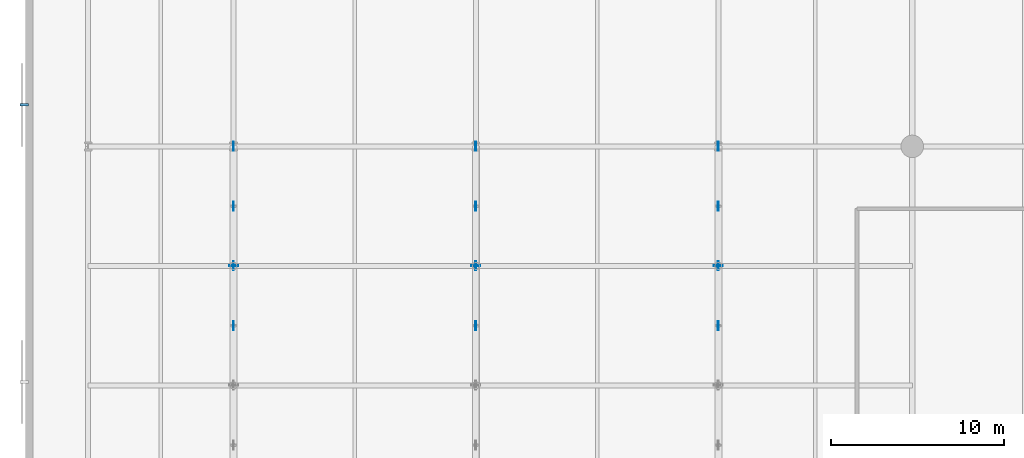
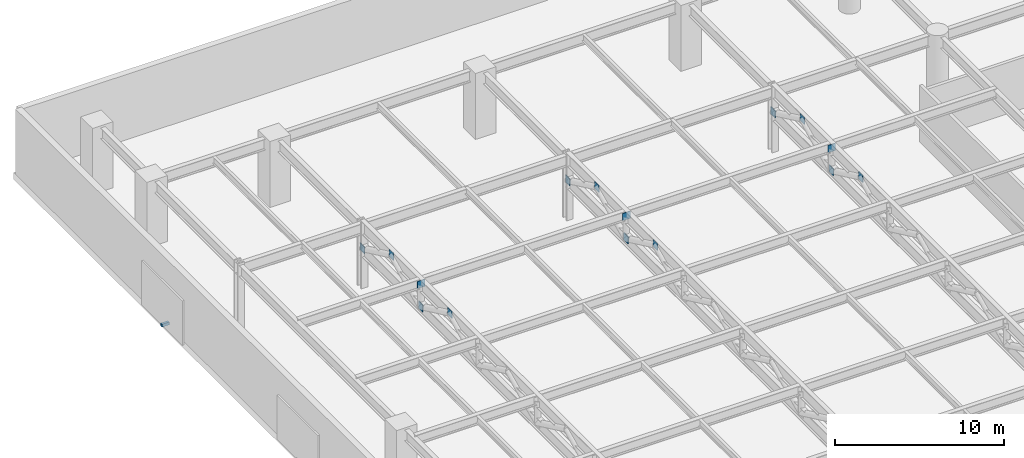
# One storey, part 35 of 40: 16 discrete accessories.
"""IFC4 building model written with IfcOpenShell, lengths in metres."""

from ifc_helpers import new_model, si_unit, direction, frame, origin, origin_2d, place, context, subcontext, project, spatial, rectangle, extrude, material, type_object, element, save


model = new_model("IFC4")

# Units and contexts
model_context = context("Model", 3, precision=1e-05, world=origin(), true_north=direction((0.0, 1.0)))
body_context = subcontext(model_context, "Body", "Model", "MODEL_VIEW")
ifc_project = project(units=[si_unit("LENGTHUNIT", "METRE"), si_unit("AREAUNIT", "SQUARE_METRE"), si_unit("VOLUMEUNIT", "CUBIC_METRE"), si_unit("PLANEANGLEUNIT", "RADIAN"), si_unit("MASSUNIT", "GRAM", prefix="KILO")], contexts=[model_context])

# Site, building, storey
site_placement = place(None, origin())
site = spatial("IfcSite", under=ifc_project, at=site_placement, CompositionType="ELEMENT")
building_placement = place(site_placement, origin())
building = spatial("IfcBuilding", under=site, at=building_placement, Name="Narakoshi Arena Tower", CompositionType="ELEMENT")
storey_placement = place(building_placement, frame((0.0, 0.0, 21.60009765625)))
storey = spatial("IfcBuildingStorey", under=building, at=storey_placement, Name="L05", CompositionType="ELEMENT", Elevation=21.60009765625)

# Discrete accessories
ifc_material_1 = material(Name="Structural steel S355J2", Category="steel")
discrete_accessory_type_1 = type_object("IfcDiscreteAccessoryType", Name="ACC-BRK-SCR", PredefinedType="BRACKET", material=ifc_material_1)
discrete_accessory_placement = place(storey_placement, frame((-0.080078125, 78.0, -0.080078125), z_axis=(0.0, 0.0, 1.0), x_axis=(0.0, 1.0, 0.0)))
element("IfcDiscreteAccessory", 1, at=discrete_accessory_placement, inside=storey, type_object=discrete_accessory_type_1, Name="L05 Solar Screen Support Bracket SHD-L05-LVR-W4", PredefinedType="BRACKET", context=body_context, shape_type="SweptSolid", body=[
    extrude(rectangle(XDim=0.159912109375, YDim=0.5, at=origin_2d()), origin(), (0.0, 0.0, 1.0), 0.199951171875),
])
ifc_material_2 = material(Name="Structural steel S460ML", Category="steel")
discrete_accessory_type_2 = type_object("IfcDiscreteAccessoryType", Name="ACC-GUS-PLT", PredefinedType="BRACKET", material=ifc_material_2)
for number, where, z_axis, x_axis, name in (
    (2, (12.0, 65.25, 4.06494140625), (0.0, 0.0, 1.0), (0.0, 1.0, 0.0), "L05 Brace Node Gusset Plate 0068"),
    (3, (12.0, 68.699951171875, 2.43994140625), (0.0, 0.0, 1.0), (0.0, 1.0, 0.0), "L05 Brace Node Gusset Plate 0069"),
    (4, (12.0, 68.699951171875, 4.06494140625), (0.0, 0.0, 1.0), (1.0, 0.0, 0.0), "L05 Brace Node Gusset Plate 0070"),
    (5, (12.0, 72.14990234375, 4.06494140625), (0.0, 0.0, 1.0), (0.0, 1.0, 0.0), "L05 Brace Node Gusset Plate 0071"),
    (6, (12.0, 75.60009765625, 2.43994140625), (0.0, 0.0, 1.0), (0.0, 1.0, 0.0), "L05 Brace Node Gusset Plate 0072"),
    (7, (26.0, 65.25, 4.06494140625), (0.0, 0.0, 1.0), (0.0, 1.0, 0.0), "L05 Brace Node Gusset Plate 0092"),
    (8, (26.0, 68.699951171875, 2.43994140625), (0.0, 0.0, 1.0), (0.0, 1.0, 0.0), "L05 Brace Node Gusset Plate 0093"),
    (9, (26.0, 68.699951171875, 4.06494140625), (0.0, 0.0, 1.0), (1.0, 0.0, 0.0), "L05 Brace Node Gusset Plate 0094"),
    (10, (26.0, 72.14990234375, 4.06494140625), (0.0, 0.0, 1.0), (0.0, 1.0, 0.0), "L05 Brace Node Gusset Plate 0095"),
    (11, (26.0, 75.60009765625, 2.43994140625), (0.0, 0.0, 1.0), (0.0, 1.0, 0.0), "L05 Brace Node Gusset Plate 0096"),
    (12, (40.0, 65.25, 4.06494140625), (0.0, 0.0, 1.0), (0.0, 1.0, 0.0), "L05 Brace Node Gusset Plate 0116"),
    (13, (40.0, 68.699951171875, 2.43994140625), (0.0, 0.0, 1.0), (0.0, 1.0, 0.0), "L05 Brace Node Gusset Plate 0117"),
    (14, (40.0, 68.699951171875, 4.06494140625), (0.0, 0.0, 1.0), (1.0, 0.0, 0.0), "L05 Brace Node Gusset Plate 0118"),
    (15, (40.0, 72.14990234375, 4.06494140625), (0.0, 0.0, 1.0), (0.0, 1.0, 0.0), "L05 Brace Node Gusset Plate 0119"),
    (16, (40.0, 75.60009765625, 2.43994140625), (0.0, 0.0, 1.0), (0.0, 1.0, 0.0), "L05 Brace Node Gusset Plate 0120"),
):
    element("IfcDiscreteAccessory", number, at=place(storey_placement, frame(where, z_axis=z_axis, x_axis=x_axis)), inside=storey, type_object=discrete_accessory_type_2, Name=name, PredefinedType="BRACKET", context=body_context, shape_type="SweptSolid", body=[
        extrude(rectangle(XDim=0.52001953125, YDim=0.050048828125, at=origin_2d()), origin(), (0.0, 0.0, 1.0), 0.52001953125),
    ])

save(model, "model.ifc")
